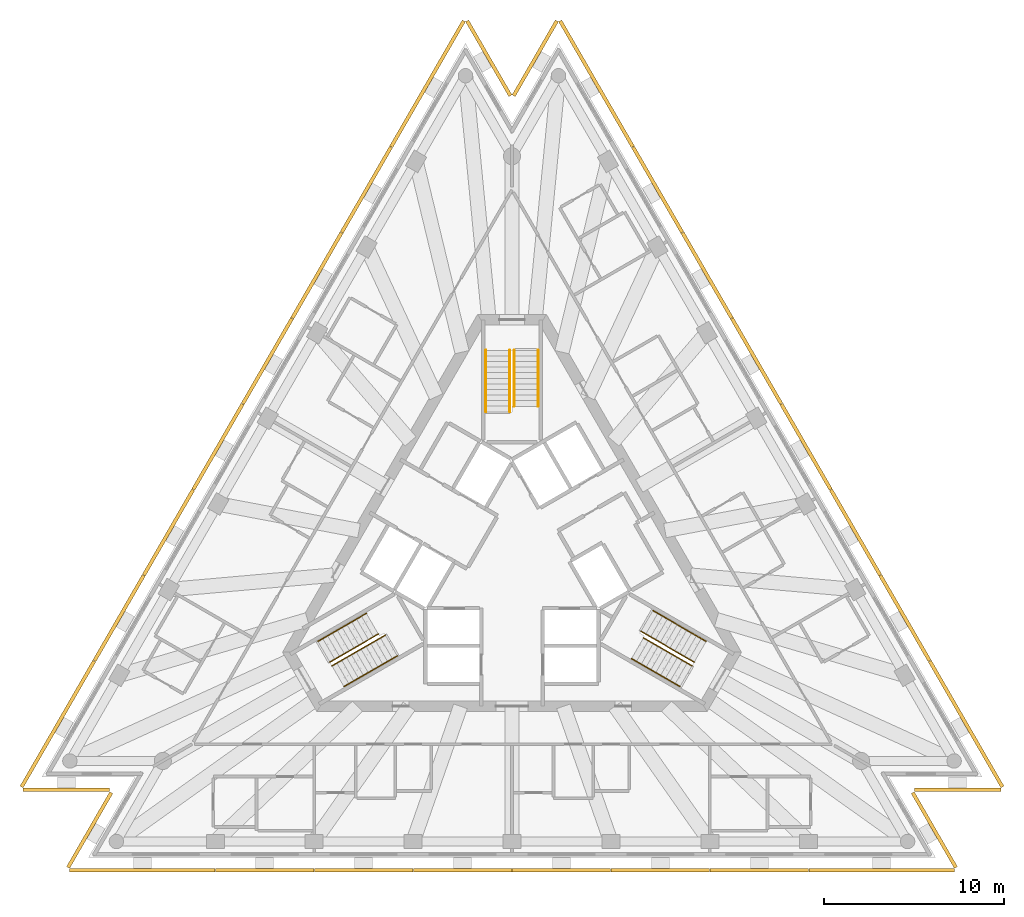
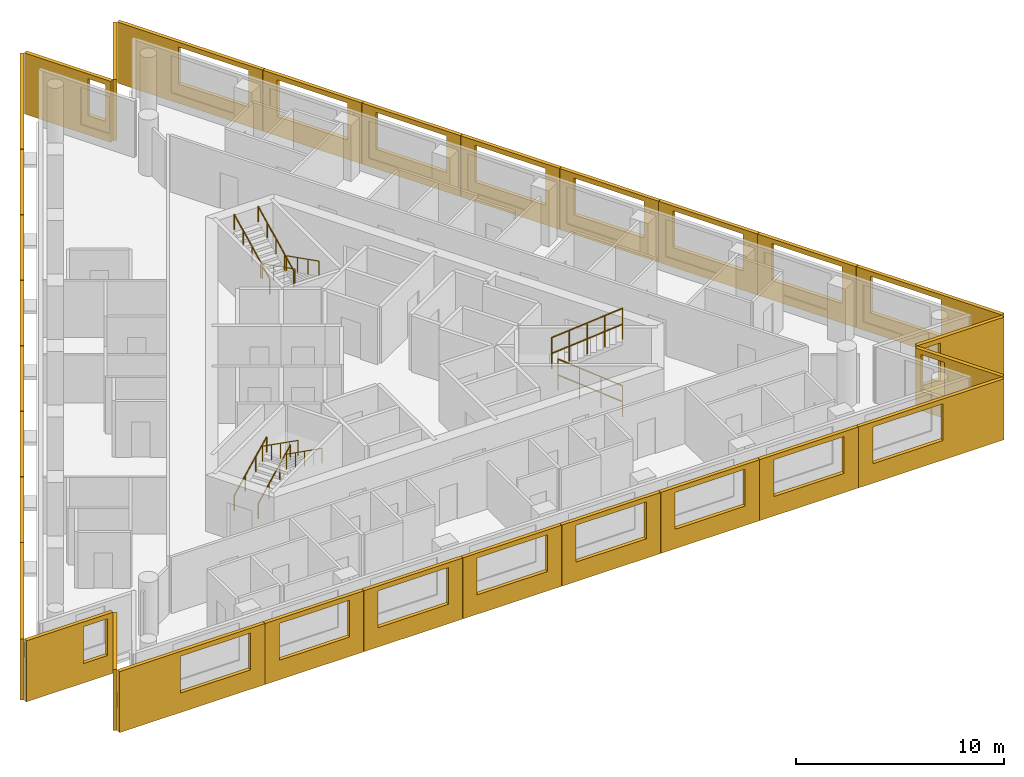
# One storey, part 9 of 9: 30 shading devices, 12 railings, 3 elements without a shape of their own.
"""IFC4 building model written with IfcOpenShell, lengths in metres."""

from ifc_helpers import new_model, si_unit, direction, frame, origin, origin_2d, place, context, subcontext, project, spatial, polyline, circle, outline, extrude, material, layer, layer_set, type_object, element, aggregate, save


model = new_model("IFC4")

# Units and contexts
model_context = context("Model", 3, precision=1e-05, world=origin(), true_north=direction((0.0, 1.0)))
body_context = subcontext(model_context, "Body", "Model", "MODEL_VIEW")
ifc_project = project(units=[si_unit("LENGTHUNIT", "METRE"), si_unit("AREAUNIT", "SQUARE_METRE"), si_unit("VOLUMEUNIT", "CUBIC_METRE"), si_unit("PLANEANGLEUNIT", "RADIAN"), si_unit("MASSUNIT", "GRAM", prefix="KILO")], contexts=[model_context])

# Site, building, storey
site_placement = place(None, origin())
site = spatial("IfcSite", under=ifc_project, at=site_placement, CompositionType="ELEMENT")
building_placement = place(site_placement, origin())
building = spatial("IfcBuilding", under=site, at=building_placement, Name="Triada Interchange Tower", CompositionType="ELEMENT")
storey_placement = place(building_placement, frame((0.0, 0.0, 282.699951171875)))
storey = spatial("IfcBuildingStorey", under=building, at=storey_placement, Name="L66", CompositionType="ELEMENT", Elevation=282.699951171875)

# Shading devices
ifc_material_1 = material(Name="Concrete C50/60 precast", Category="concrete")
ifc_layer_1 = layer(ifc_material_1, 0.02001953125, Name="Exposed aggregate face")
ifc_layer_2 = layer(ifc_material_1, 0.179931640625, Name="Precast concrete screen")
ifc_layer_set = layer_set([ifc_layer_1, ifc_layer_2], Name="Outer skin screen panel 3580")
shading_device_type = type_object("IfcShadingDeviceType", Name="Outer skin screen panel 3580", PredefinedType="SHUTTER", material=ifc_layer_set)
shading_device_1_placement = place(storey_placement, frame((-2.5859375, 29.8291015625, -0.2900390625), z_axis=(0.0, 0.0, 1.0), x_axis=(-0.500009794523, -0.86601974884, 0.0)))
element("IfcShadingDevice", 1, at=shading_device_1_placement, inside=storey, type_object=shading_device_type, Name="Outer skin screen panel L66 01", PredefinedType="SHUTTER", context=body_context, shape_type="SweptSolid", body=[
    extrude(outline(polyline([(0.0, 0.0), (8.065673828125, 0.0), (8.065673828125, 3.580078125), (0.0, 3.580078125), (0.0, 0.0)]), holes=[polyline([(3.381591796875, 1.139892578125), (3.381591796875, 3.300048828125), (7.281494140625, 3.300048828125), (7.281494140625, 1.139892578125), (3.381591796875, 1.139892578125)])]), frame((0.0, 0.0, 0.0), z_axis=(0.0, -1.0, 0.0), x_axis=(1.0, 0.0, 0.0)), (0.0, 0.0, 1.0), 0.199951171875),
])
for number, where, z_axis, x_axis, name in (
    (2, (-6.62890625, 22.826904296875, -0.2900390625), (0.0, 0.0, 1.0), (-0.499985249434, -0.86603391986, 0.0), "Outer skin screen panel L66 02"),
    (3, (-9.373046875, 18.073974609375, -0.2900390625), (0.0, 0.0, 1.0), (-0.499932432864, -0.866064410174, 0.0), "Outer skin screen panel L66 03"),
):
    element("IfcShadingDevice", number, at=place(storey_placement, frame(where, z_axis=z_axis, x_axis=x_axis)), inside=storey, type_object=shading_device_type, Name=name, PredefinedType="SHUTTER", context=body_context, shape_type="SweptSolid", body=[
        extrude(outline(polyline([(0.0, 0.0), (5.468505859375, 0.0), (5.468505859375, 3.580078125), (0.0, 3.580078125), (0.0, 0.0)]), holes=[polyline([(0.783447265625, 1.139892578125), (0.783447265625, 3.300048828125), (4.68359375, 3.300048828125), (4.68359375, 1.139892578125), (0.783447265625, 1.139892578125)])]), frame((0.0, 0.0, 0.0), z_axis=(0.0, -1.0, 0.0), x_axis=(1.0, 0.0, 0.0)), (0.0, 0.0, 1.0), 0.199951171875),
    ])
for number, where, z_axis, x_axis, name in (
    (4, (-12.116943359375, 13.321044921875, -0.2900390625), (0.0, 0.0, 1.0), (-0.500043250139, -0.866000431865, 0.0), "Outer skin screen panel L66 04"),
    (5, (-14.861083984375, 8.568115234375, -0.2900390625), (0.0, 0.0, 1.0), (-0.50000976292, -0.866019767087, 0.0), "Outer skin screen panel L66 05"),
):
    element("IfcShadingDevice", number, at=place(storey_placement, frame(where, z_axis=z_axis, x_axis=x_axis)), inside=storey, type_object=shading_device_type, Name=name, PredefinedType="SHUTTER", context=body_context, shape_type="SweptSolid", body=[
        extrude(outline(polyline([(0.0, 0.0), (5.4677734375, 0.0), (5.4677734375, 3.580078125), (0.0, 3.580078125), (0.0, 0.0)]), holes=[polyline([(0.783447265625, 1.139892578125), (0.783447265625, 3.300048828125), (4.68359375, 3.300048828125), (4.68359375, 1.139892578125), (0.783447265625, 1.139892578125)])]), frame((0.0, 0.0, 0.0), z_axis=(0.0, -1.0, 0.0), x_axis=(1.0, 0.0, 0.0)), (0.0, 0.0, 1.0), 0.199951171875),
    ])
for number, where, z_axis, x_axis, name in (
    (6, (-17.60498046875, 3.81591796875, -0.2900390625), (0.0, 0.0, 1.0), (-0.499985249434, -0.86603391986, 0.0), "Outer skin screen panel L66 06"),
    (7, (-20.34912109375, -0.93701171875, -0.2900390625), (0.0, 0.0, 1.0), (-0.499932432864, -0.866064410174, 0.0), "Outer skin screen panel L66 07"),
):
    element("IfcShadingDevice", number, at=place(storey_placement, frame(where, z_axis=z_axis, x_axis=x_axis)), inside=storey, type_object=shading_device_type, Name=name, PredefinedType="SHUTTER", context=body_context, shape_type="SweptSolid", body=[
        extrude(outline(polyline([(0.0, 0.0), (5.468505859375, 0.0), (5.468505859375, 3.580078125), (0.0, 3.580078125), (0.0, 0.0)]), holes=[polyline([(0.783447265625, 1.139892578125), (0.783447265625, 3.300048828125), (4.68359375, 3.300048828125), (4.68359375, 1.139892578125), (0.783447265625, 1.139892578125)])]), frame((0.0, 0.0, 0.0), z_axis=(0.0, -1.0, 0.0), x_axis=(1.0, 0.0, 0.0)), (0.0, 0.0, 1.0), 0.199951171875),
    ])
shading_device_2_placement = place(storey_placement, frame((-23.093017578125, -5.68994140625, -0.2900390625), z_axis=(0.0, 0.0, 1.0), x_axis=(-0.500009794523, -0.86601974884, 0.0)))
element("IfcShadingDevice", 8, at=shading_device_2_placement, inside=storey, type_object=shading_device_type, Name="Outer skin screen panel L66 08", PredefinedType="SHUTTER", context=body_context, shape_type="SweptSolid", body=[
    extrude(outline(polyline([(0.0, 0.0), (8.065673828125, 0.0), (8.065673828125, 3.580078125), (0.0, 3.580078125), (0.0, 0.0)]), holes=[polyline([(0.783447265625, 1.139892578125), (0.783447265625, 3.300048828125), (4.68359375, 3.300048828125), (4.68359375, 1.139892578125), (0.783447265625, 1.139892578125)])]), frame((0.0, 0.0, 0.0), z_axis=(0.0, -1.0, 0.0), x_axis=(1.0, 0.0, 0.0)), (0.0, 0.0, 1.0), 0.199951171875),
])
shading_device_3_placement = place(storey_placement, frame((-27.12109375, -12.68408203125, -0.2900390625), z_axis=(0.0, 0.0, 1.0), x_axis=(1.0, 0.0, 0.0)))
element("IfcShadingDevice", 9, at=shading_device_3_placement, inside=storey, type_object=shading_device_type, Name="Outer skin screen panel L66 09", PredefinedType="SHUTTER", context=body_context, shape_type="SweptSolid", body=[
    extrude(outline(polyline([(0.0, 0.0), (4.795166015625, 0.0), (4.795166015625, 3.580078125), (0.0, 3.580078125), (0.0, 0.0)]), holes=[polyline([(3.175048828125, 1.139892578125), (3.175048828125, 3.300048828125), (4.4951171875, 3.300048828125), (4.4951171875, 1.139892578125), (3.175048828125, 1.139892578125)])]), frame((0.0, 0.0, 0.0), z_axis=(0.0, -1.0, 0.0), x_axis=(1.0, 0.0, 0.0)), (0.0, 0.0, 1.0), 0.199951171875),
])
shading_device_4_placement = place(storey_placement, frame((-22.14794921875, -12.991943359375, -0.2900390625), z_axis=(0.0, 0.0, 1.0), x_axis=(-0.499873775192, -0.866098267447, 0.0)))
element("IfcShadingDevice", 10, at=shading_device_4_placement, inside=storey, type_object=shading_device_type, Name="Outer skin screen panel L66 10", PredefinedType="SHUTTER", context=body_context, shape_type="SweptSolid", body=[
    extrude(outline(polyline([(0.0, 0.0), (4.795166015625, 0.0), (4.795166015625, 3.580078125), (0.0, 3.580078125), (0.0, 0.0)]), holes=[polyline([(0.300048828125, 1.139892578125), (0.300048828125, 3.300048828125), (1.258544921875, 3.300048828125), (1.258544921875, 1.139892578125), (0.300048828125, 1.139892578125)])]), frame((0.0, 0.0, 0.0), z_axis=(0.0, -1.0, 0.0), x_axis=(1.0, 0.0, 0.0)), (0.0, 0.0, 1.0), 0.199951171875),
])
shading_device_5_placement = place(storey_placement, frame((-24.5400390625, -17.154052734375, -0.2900390625), z_axis=(0.0, 0.0, 1.0), x_axis=(1.0, 0.0, 0.0)))
element("IfcShadingDevice", 11, at=shading_device_5_placement, inside=storey, type_object=shading_device_type, Name="Outer skin screen panel L66 11", PredefinedType="SHUTTER", context=body_context, shape_type="SweptSolid", body=[
    extrude(outline(polyline([(0.0, 0.0), (8.06591796875, 0.0), (8.06591796875, 3.580078125), (0.0, 3.580078125), (0.0, 0.0)]), holes=[polyline([(3.382080078125, 1.139892578125), (3.382080078125, 3.300048828125), (7.281982421875, 3.300048828125), (7.281982421875, 1.139892578125), (3.382080078125, 1.139892578125)])]), frame((0.0, 0.0, 0.0), z_axis=(0.0, -1.0, 0.0), x_axis=(1.0, 0.0, 0.0)), (0.0, 0.0, 1.0), 0.199951171875),
])
for number, where, z_axis, x_axis, name in (
    (12, (-16.4541015625, -17.154052734375, -0.2900390625), (0.0, 0.0, 1.0), (1.0, 0.0, 0.0), "Outer skin screen panel L66 12"),
    (13, (-10.966064453125, -17.154052734375, -0.2900390625), (0.0, 0.0, 1.0), (1.0, 0.0, 0.0), "Outer skin screen panel L66 13"),
    (14, (-5.47802734375, -17.154052734375, -0.2900390625), (0.0, 0.0, 1.0), (1.0, 0.0, 0.0), "Outer skin screen panel L66 14"),
    (15, (0.010009765625, -17.154052734375, -0.2900390625), (0.0, 0.0, 1.0), (1.0, 0.0, 0.0), "Outer skin screen panel L66 15"),
    (16, (5.498046875, -17.154052734375, -0.2900390625), (0.0, 0.0, 1.0), (1.0, 0.0, 0.0), "Outer skin screen panel L66 16"),
    (17, (10.986083984375, -17.154052734375, -0.2900390625), (0.0, 0.0, 1.0), (1.0, 0.0, 0.0), "Outer skin screen panel L66 17"),
):
    element("IfcShadingDevice", number, at=place(storey_placement, frame(where, z_axis=z_axis, x_axis=x_axis)), inside=storey, type_object=shading_device_type, Name=name, PredefinedType="SHUTTER", context=body_context, shape_type="SweptSolid", body=[
        extrude(outline(polyline([(0.0, 0.0), (5.468017578125, 0.0), (5.468017578125, 3.580078125), (0.0, 3.580078125), (0.0, 0.0)]), holes=[polyline([(0.783935546875, 1.139892578125), (0.783935546875, 3.300048828125), (4.68408203125, 3.300048828125), (4.68408203125, 1.139892578125), (0.783935546875, 1.139892578125)])]), frame((0.0, 0.0, 0.0), z_axis=(0.0, -1.0, 0.0), x_axis=(1.0, 0.0, 0.0)), (0.0, 0.0, 1.0), 0.199951171875),
    ])
shading_device_6_placement = place(storey_placement, frame((16.47412109375, -17.154052734375, -0.2900390625), z_axis=(0.0, 0.0, 1.0), x_axis=(1.0, 0.0, 0.0)))
element("IfcShadingDevice", 18, at=shading_device_6_placement, inside=storey, type_object=shading_device_type, Name="Outer skin screen panel L66 18", PredefinedType="SHUTTER", context=body_context, shape_type="SweptSolid", body=[
    extrude(outline(polyline([(0.0, 0.0), (8.06591796875, 0.0), (8.06591796875, 3.580078125), (0.0, 3.580078125), (0.0, 0.0)]), holes=[polyline([(0.783935546875, 1.139892578125), (0.783935546875, 3.300048828125), (4.68408203125, 3.300048828125), (4.68408203125, 1.139892578125), (0.783935546875, 1.139892578125)])]), frame((0.0, 0.0, 0.0), z_axis=(0.0, -1.0, 0.0), x_axis=(1.0, 0.0, 0.0)), (0.0, 0.0, 1.0), 0.199951171875),
])
shading_device_7_placement = place(storey_placement, frame((24.544921875, -17.14501953125, -0.2900390625), z_axis=(0.0, 0.0, 1.0), x_axis=(-0.499873775192, 0.866098267447, 0.0)))
element("IfcShadingDevice", 19, at=shading_device_7_placement, inside=storey, type_object=shading_device_type, Name="Outer skin screen panel L66 19", PredefinedType="SHUTTER", context=body_context, shape_type="SweptSolid", body=[
    extrude(outline(polyline([(0.0, 0.0), (4.795166015625, 0.0), (4.795166015625, 3.580078125), (0.0, 3.580078125), (0.0, 0.0)]), holes=[polyline([(3.17529296875, 1.139892578125), (3.17529296875, 3.300048828125), (4.4951171875, 3.300048828125), (4.4951171875, 1.139892578125), (3.17529296875, 1.139892578125)])]), frame((0.0, 0.0, 0.0), z_axis=(0.0, -1.0, 0.0), x_axis=(1.0, 0.0, 0.0)), (0.0, 0.0, 1.0), 0.199951171875),
])
shading_device_8_placement = place(storey_placement, frame((22.325927734375, -12.68408203125, -0.2900390625), z_axis=(0.0, 0.0, 1.0), x_axis=(1.0, 0.0, 0.0)))
element("IfcShadingDevice", 20, at=shading_device_8_placement, inside=storey, type_object=shading_device_type, Name="Outer skin screen panel L66 20", PredefinedType="SHUTTER", context=body_context, shape_type="SweptSolid", body=[
    extrude(outline(polyline([(0.0, 0.0), (4.795166015625, 0.0), (4.795166015625, 3.580078125), (0.0, 3.580078125), (0.0, 0.0)]), holes=[polyline([(0.300048828125, 1.139892578125), (0.300048828125, 3.300048828125), (1.259033203125, 3.300048828125), (1.259033203125, 1.139892578125), (0.300048828125, 1.139892578125)])]), frame((0.0, 0.0, 0.0), z_axis=(0.0, -1.0, 0.0), x_axis=(1.0, 0.0, 0.0)), (0.0, 0.0, 1.0), 0.199951171875),
])
shading_device_9_placement = place(storey_placement, frame((27.1259765625, -12.675048828125, -0.2900390625), z_axis=(0.0, 0.0, 1.0), x_axis=(-0.500009794523, 0.86601974884, 0.0)))
element("IfcShadingDevice", 21, at=shading_device_9_placement, inside=storey, type_object=shading_device_type, Name="Outer skin screen panel L66 21", PredefinedType="SHUTTER", context=body_context, shape_type="SweptSolid", body=[
    extrude(outline(polyline([(0.0, 0.0), (8.065673828125, 0.0), (8.065673828125, 3.580078125), (0.0, 3.580078125), (0.0, 0.0)]), holes=[polyline([(3.38232421875, 1.139892578125), (3.38232421875, 3.300048828125), (7.2822265625, 3.300048828125), (7.2822265625, 1.139892578125), (3.38232421875, 1.139892578125)])]), frame((0.0, 0.0, 0.0), z_axis=(0.0, -1.0, 0.0), x_axis=(1.0, 0.0, 0.0)), (0.0, 0.0, 1.0), 0.199951171875),
])
for number, where, z_axis, x_axis, name in (
    (22, (23.0830078125, -5.673095703125, -0.2900390625), (0.0, 0.0, 1.0), (-0.499932432864, 0.866064410174, 0.0), "Outer skin screen panel L66 22"),
    (23, (20.339111328125, -0.919921875, -0.2900390625), (0.0, 0.0, 1.0), (-0.499985249434, 0.86603391986, 0.0), "Outer skin screen panel L66 23"),
):
    element("IfcShadingDevice", number, at=place(storey_placement, frame(where, z_axis=z_axis, x_axis=x_axis)), inside=storey, type_object=shading_device_type, Name=name, PredefinedType="SHUTTER", context=body_context, shape_type="SweptSolid", body=[
        extrude(outline(polyline([(0.0, 0.0), (5.468505859375, 0.0), (5.468505859375, 3.580078125), (0.0, 3.580078125), (0.0, 0.0)]), holes=[polyline([(0.7841796875, 1.139892578125), (0.7841796875, 3.300048828125), (4.68408203125, 3.300048828125), (4.68408203125, 1.139892578125), (0.7841796875, 1.139892578125)])]), frame((0.0, 0.0, 0.0), z_axis=(0.0, -1.0, 0.0), x_axis=(1.0, 0.0, 0.0)), (0.0, 0.0, 1.0), 0.199951171875),
    ])
for number, where, z_axis, x_axis, name in (
    (24, (17.594970703125, 3.8330078125, -0.2900390625), (0.0, 0.0, 1.0), (-0.50000976292, 0.866019767087, 0.0), "Outer skin screen panel L66 24"),
    (25, (14.85107421875, 8.5859375, -0.2900390625), (0.0, 0.0, 1.0), (-0.500043250139, 0.866000431865, 0.0), "Outer skin screen panel L66 25"),
):
    element("IfcShadingDevice", number, at=place(storey_placement, frame(where, z_axis=z_axis, x_axis=x_axis)), inside=storey, type_object=shading_device_type, Name=name, PredefinedType="SHUTTER", context=body_context, shape_type="SweptSolid", body=[
        extrude(outline(polyline([(0.0, 0.0), (5.4677734375, 0.0), (5.4677734375, 3.580078125), (0.0, 3.580078125), (0.0, 0.0)]), holes=[polyline([(0.7841796875, 1.139892578125), (0.7841796875, 3.300048828125), (4.68408203125, 3.300048828125), (4.68408203125, 1.139892578125), (0.7841796875, 1.139892578125)])]), frame((0.0, 0.0, 0.0), z_axis=(0.0, -1.0, 0.0), x_axis=(1.0, 0.0, 0.0)), (0.0, 0.0, 1.0), 0.199951171875),
    ])
for number, where, z_axis, x_axis, name in (
    (26, (12.10693359375, 13.337890625, -0.2900390625), (0.0, 0.0, 1.0), (-0.499932432864, 0.866064410174, 0.0), "Outer skin screen panel L66 26"),
    (27, (9.363037109375, 18.091064453125, -0.2900390625), (0.0, 0.0, 1.0), (-0.499985249434, 0.86603391986, 0.0), "Outer skin screen panel L66 27"),
):
    element("IfcShadingDevice", number, at=place(storey_placement, frame(where, z_axis=z_axis, x_axis=x_axis)), inside=storey, type_object=shading_device_type, Name=name, PredefinedType="SHUTTER", context=body_context, shape_type="SweptSolid", body=[
        extrude(outline(polyline([(0.0, 0.0), (5.468505859375, 0.0), (5.468505859375, 3.580078125), (0.0, 3.580078125), (0.0, 0.0)]), holes=[polyline([(0.7841796875, 1.139892578125), (0.7841796875, 3.300048828125), (4.68408203125, 3.300048828125), (4.68408203125, 1.139892578125), (0.7841796875, 1.139892578125)])]), frame((0.0, 0.0, 0.0), z_axis=(0.0, -1.0, 0.0), x_axis=(1.0, 0.0, 0.0)), (0.0, 0.0, 1.0), 0.199951171875),
    ])
shading_device_10_placement = place(storey_placement, frame((6.618896484375, 22.843994140625, -0.2900390625), z_axis=(0.0, 0.0, 1.0), x_axis=(-0.500009794523, 0.86601974884, 0.0)))
element("IfcShadingDevice", 28, at=shading_device_10_placement, inside=storey, type_object=shading_device_type, Name="Outer skin screen panel L66 28", PredefinedType="SHUTTER", context=body_context, shape_type="SweptSolid", body=[
    extrude(outline(polyline([(0.0, 0.0), (8.065673828125, 0.0), (8.065673828125, 3.580078125), (0.0, 3.580078125), (0.0, 0.0)]), holes=[polyline([(0.7841796875, 1.139892578125), (0.7841796875, 3.300048828125), (4.68408203125, 3.300048828125), (4.68408203125, 1.139892578125), (0.7841796875, 1.139892578125)])]), frame((0.0, 0.0, 0.0), z_axis=(0.0, -1.0, 0.0), x_axis=(1.0, 0.0, 0.0)), (0.0, 0.0, 1.0), 0.199951171875),
])
shading_device_11_placement = place(storey_placement, frame((2.575927734375, 29.8291015625, -0.2900390625), z_axis=(0.0, 0.0, 1.0), x_axis=(-0.500202931043, -0.865908209787, 0.0)))
element("IfcShadingDevice", 29, at=shading_device_11_placement, inside=storey, type_object=shading_device_type, Name="Outer skin screen panel L66 29", PredefinedType="SHUTTER", context=body_context, shape_type="SweptSolid", body=[
    extrude(outline(polyline([(0.0, 0.0), (4.7939453125, 0.0), (4.7939453125, 3.580078125), (0.0, 3.580078125), (0.0, 0.0)]), holes=[polyline([(3.175537109375, 1.139892578125), (3.175537109375, 3.300048828125), (4.494384765625, 3.300048828125), (4.494384765625, 1.139892578125), (3.175537109375, 1.139892578125)])]), frame((0.0, 0.0, 0.0), z_axis=(0.0, -1.0, 0.0), x_axis=(1.0, 0.0, 0.0)), (0.0, 0.0, 1.0), 0.199951171875),
])
shading_device_12_placement = place(storey_placement, frame((-0.177978515625, 25.677978515625, -0.2900390625), z_axis=(0.0, 0.0, 1.0), x_axis=(-0.500202931043, 0.865908209787, 0.0)))
element("IfcShadingDevice", 30, at=shading_device_12_placement, inside=storey, type_object=shading_device_type, Name="Outer skin screen panel L66 30", PredefinedType="SHUTTER", context=body_context, shape_type="SweptSolid", body=[
    extrude(outline(polyline([(0.0, 0.0), (4.7939453125, 0.0), (4.7939453125, 3.580078125), (0.0, 3.580078125), (0.0, 0.0)]), holes=[polyline([(0.300048828125, 1.139892578125), (0.300048828125, 3.300048828125), (1.258056640625, 3.300048828125), (1.258056640625, 1.139892578125), (0.300048828125, 1.139892578125)])]), frame((0.0, 0.0, 0.0), z_axis=(0.0, -1.0, 0.0), x_axis=(1.0, 0.0, 0.0)), (0.0, 0.0, 1.0), 0.199951171875),
])

# Stair, railings
ifc_material_2 = material(Name="Concrete C35/45", Category="concrete")
stair_type = type_object("IfcStairType", Name="HALF TURN STAIR 1400", PredefinedType="HALF_TURN_STAIR", material=ifc_material_2)
stair_1_placement = place(storey_placement, origin())
stair_1 = element("IfcStair", 31, at=stair_1_placement, inside=storey, type_object=stair_type, Name="Exit stair S65-1", PredefinedType="HALF_TURN_STAIR")
ifc_material_3 = material(Name="Stainless steel 1.4301", Category="steel")
railing_type = type_object("IfcRailingType", Name="STAIR HANDRAIL 900", PredefinedType="HANDRAIL", material=ifc_material_3)
railing_1_placement = place(storey_placement, frame((1.449951171875, 11.60009765625, 0.156494140625)))
railing_1 = element("IfcRailing", 32, at=railing_1_placement, type_object=railing_type, Name="Handrail S65-1 1W", PredefinedType="HANDRAIL", context=body_context, shape_type="SweptSolid", body=[
    extrude(circle(Radius=0.02392578125, at=origin_2d()), frame((0.0, 0.0, 0.8759765625), z_axis=(0.0, -0.89267693942, 0.450697106522), x_axis=(1.0, 0.0, 0.0)), (0.0, 0.0, 1.0), 3.472900390625),
    extrude(circle(Radius=0.02099609375, at=origin_2d()), origin(), (0.0, 0.0, 1.0), 0.851806640625),
    extrude(circle(Radius=0.02099609375, at=origin_2d()), frame((0.0, -1.033447265625, 0.521728515625)), (0.0, 0.0, 1.0), 0.851806640625),
    extrude(circle(Radius=0.02099609375, at=origin_2d()), frame((0.0, -2.066650390625, 1.04345703125)), (0.0, 0.0, 1.0), 0.851806640625),
    extrude(circle(Radius=0.02099609375, at=origin_2d()), frame((0.0, -3.10009765625, 1.565185546875)), (0.0, 0.0, 1.0), 0.851806640625),
])
railing_2_placement = place(storey_placement, frame((0.1201171875, 11.60009765625, 0.156494140625)))
railing_2 = element("IfcRailing", 33, at=railing_2_placement, type_object=railing_type, Name="Handrail S65-1 1C", PredefinedType="HANDRAIL", context=body_context, shape_type="SweptSolid", body=[
    extrude(circle(Radius=0.02392578125, at=origin_2d()), frame((0.0, 0.0, 0.8759765625), z_axis=(0.0, -0.89267693942, 0.450697106522), x_axis=(1.0, 0.0, 0.0)), (0.0, 0.0, 1.0), 3.472900390625),
    extrude(circle(Radius=0.02099609375, at=origin_2d()), origin(), (0.0, 0.0, 1.0), 0.851806640625),
    extrude(circle(Radius=0.02099609375, at=origin_2d()), frame((0.0, -1.033447265625, 0.521728515625)), (0.0, 0.0, 1.0), 0.851806640625),
    extrude(circle(Radius=0.02099609375, at=origin_2d()), frame((0.0, -2.066650390625, 1.04345703125)), (0.0, 0.0, 1.0), 0.851806640625),
    extrude(circle(Radius=0.02099609375, at=origin_2d()), frame((0.0, -3.10009765625, 1.565185546875)), (0.0, 0.0, 1.0), 0.851806640625),
])
railing_3_placement = place(storey_placement, frame((-1.449951171875, 8.18994140625, 1.878173828125)))
railing_3 = element("IfcRailing", 34, at=railing_3_placement, type_object=railing_type, Name="Handrail S65-1 2W", PredefinedType="HANDRAIL", context=body_context, shape_type="SweptSolid", body=[
    extrude(circle(Radius=0.02392578125, at=origin_2d()), frame((0.0, 0.0, 0.8759765625), z_axis=(0.0, 0.892682106939, 0.450686871287), x_axis=(-1.0, 0.0, 0.0)), (0.0, 0.0, 1.0), 3.820068359375),
    extrude(circle(Radius=0.02099609375, at=origin_2d()), origin(), (0.0, 0.0, 1.0), 0.851806640625),
    extrude(circle(Radius=0.02099609375, at=origin_2d()), frame((0.0, 0.8525390625, 0.430419921875)), (0.0, 0.0, 1.0), 0.851806640625),
    extrude(circle(Radius=0.02099609375, at=origin_2d()), frame((0.0, 1.705078125, 0.86083984375)), (0.0, 0.0, 1.0), 0.851806640625),
    extrude(circle(Radius=0.02099609375, at=origin_2d()), frame((0.0, 2.5576171875, 1.291259765625)), (0.0, 0.0, 1.0), 0.851806640625),
    extrude(circle(Radius=0.02099609375, at=origin_2d()), frame((0.0, 3.41015625, 1.7216796875)), (0.0, 0.0, 1.0), 0.851806640625),
])
railing_4_placement = place(storey_placement, frame((-0.1201171875, 8.18994140625, 1.878173828125)))
railing_4 = element("IfcRailing", 35, at=railing_4_placement, type_object=railing_type, Name="Handrail S65-1 2C", PredefinedType="HANDRAIL", context=body_context, shape_type="SweptSolid", body=[
    extrude(circle(Radius=0.02392578125, at=origin_2d()), frame((0.0, 0.0, 0.8759765625), z_axis=(0.0, 0.892682106939, 0.450686871287), x_axis=(-1.0, 0.0, 0.0)), (0.0, 0.0, 1.0), 3.820068359375),
    extrude(circle(Radius=0.02099609375, at=origin_2d()), origin(), (0.0, 0.0, 1.0), 0.851806640625),
    extrude(circle(Radius=0.02099609375, at=origin_2d()), frame((0.0, 0.8525390625, 0.430419921875)), (0.0, 0.0, 1.0), 0.851806640625),
    extrude(circle(Radius=0.02099609375, at=origin_2d()), frame((0.0, 1.705078125, 0.86083984375)), (0.0, 0.0, 1.0), 0.851806640625),
    extrude(circle(Radius=0.02099609375, at=origin_2d()), frame((0.0, 2.5576171875, 1.291259765625)), (0.0, 0.0, 1.0), 0.851806640625),
    extrude(circle(Radius=0.02099609375, at=origin_2d()), frame((0.0, 3.41015625, 1.7216796875)), (0.0, 0.0, 1.0), 0.851806640625),
])
aggregate(stair_1, [railing_1, railing_2, railing_3, railing_4])

stair_2_placement = place(storey_placement, origin())
stair_2 = element("IfcStair", 36, at=stair_2_placement, inside=storey, type_object=stair_type, Name="Exit stair S65-2", PredefinedType="HALF_TURN_STAIR")
railing_5_placement = place(storey_placement, frame((-10.77099609375, -4.5439453125, 0.156494140625)))
railing_5 = element("IfcRailing", 37, at=railing_5_placement, type_object=railing_type, Name="Handrail S65-2 1W", PredefinedType="HANDRAIL", context=body_context, shape_type="SweptSolid", body=[
    extrude(circle(Radius=0.02392578125, at=origin_2d()), frame((0.0, 0.0, 0.8759765625), z_axis=(0.773115112249, 0.446309133267, 0.4506674836), x_axis=(-0.499958760481, 0.866049212123, 0.0)), (0.0, 0.0, 1.0), 3.47314453125),
    extrude(circle(Radius=0.02099609375, at=origin_2d()), origin(), (0.0, 0.0, 1.0), 0.851806640625),
    extrude(circle(Radius=0.02099609375, at=origin_2d()), frame((0.89501953125, 0.5166015625, 0.521728515625)), (0.0, 0.0, 1.0), 0.851806640625),
    extrude(circle(Radius=0.02099609375, at=origin_2d()), frame((1.7900390625, 1.033447265625, 1.04345703125)), (0.0, 0.0, 1.0), 0.851806640625),
    extrude(circle(Radius=0.02099609375, at=origin_2d()), frame((2.68505859375, 1.550048828125, 1.565185546875)), (0.0, 0.0, 1.0), 0.851806640625),
])
railing_6_placement = place(storey_placement, frame((-10.10595703125, -5.696044921875, 0.156494140625)))
railing_6 = element("IfcRailing", 38, at=railing_6_placement, type_object=railing_type, Name="Handrail S65-2 1C", PredefinedType="HANDRAIL", context=body_context, shape_type="SweptSolid", body=[
    extrude(circle(Radius=0.02392578125, at=origin_2d()), frame((0.0, 0.0, 0.8759765625), z_axis=(0.773115112249, 0.446309133267, 0.4506674836), x_axis=(-0.499958760481, 0.866049212123, 0.0)), (0.0, 0.0, 1.0), 3.47314453125),
    extrude(circle(Radius=0.02099609375, at=origin_2d()), origin(), (0.0, 0.0, 1.0), 0.851806640625),
    extrude(circle(Radius=0.02099609375, at=origin_2d()), frame((0.89501953125, 0.5166015625, 0.521728515625)), (0.0, 0.0, 1.0), 0.851806640625),
    extrude(circle(Radius=0.02099609375, at=origin_2d()), frame((1.7900390625, 1.033447265625, 1.04345703125)), (0.0, 0.0, 1.0), 0.851806640625),
    extrude(circle(Radius=0.02099609375, at=origin_2d()), frame((2.68505859375, 1.550048828125, 1.565185546875)), (0.0, 0.0, 1.0), 0.851806640625),
])
railing_7_placement = place(storey_placement, frame((-6.367919921875, -5.35107421875, 1.878173828125)))
railing_7 = element("IfcRailing", 39, at=railing_7_placement, type_object=railing_type, Name="Handrail S65-2 2W", PredefinedType="HANDRAIL", context=body_context, shape_type="SweptSolid", body=[
    extrude(circle(Radius=0.02392578125, at=origin_2d()), frame((0.0, 0.0, 0.8759765625), z_axis=(-0.773090904651, -0.446304049866, 0.450714042625), x_axis=(0.499966231165, -0.866044899352, 0.0)), (0.0, 0.0, 1.0), 3.81982421875),
    extrude(circle(Radius=0.02099609375, at=origin_2d()), origin(), (0.0, 0.0, 1.0), 0.851806640625),
    extrude(circle(Radius=0.02099609375, at=origin_2d()), frame((-0.73828125, -0.42626953125, 0.430419921875)), (0.0, 0.0, 1.0), 0.851806640625),
    extrude(circle(Radius=0.02099609375, at=origin_2d()), frame((-1.4765625, -0.8525390625, 0.86083984375)), (0.0, 0.0, 1.0), 0.851806640625),
    extrude(circle(Radius=0.02099609375, at=origin_2d()), frame((-2.21484375, -1.278564453125, 1.291259765625)), (0.0, 0.0, 1.0), 0.851806640625),
    extrude(circle(Radius=0.02099609375, at=origin_2d()), frame((-2.953125, -1.704833984375, 1.7216796875)), (0.0, 0.0, 1.0), 0.851806640625),
])
railing_8_placement = place(storey_placement, frame((-7.032958984375, -4.198974609375, 1.878173828125)))
railing_8 = element("IfcRailing", 40, at=railing_8_placement, type_object=railing_type, Name="Handrail S65-2 2C", PredefinedType="HANDRAIL", context=body_context, shape_type="SweptSolid", body=[
    extrude(circle(Radius=0.02392578125, at=origin_2d()), frame((0.0, 0.0, 0.8759765625), z_axis=(-0.773068851904, -0.446355229968, 0.450701185816), x_axis=(0.50001992892, -0.866013897511, 0.0)), (0.0, 0.0, 1.0), 3.820068359375),
    extrude(circle(Radius=0.02099609375, at=origin_2d()), origin(), (0.0, 0.0, 1.0), 0.851806640625),
    extrude(circle(Radius=0.02099609375, at=origin_2d()), frame((-0.73828125, -0.42626953125, 0.430419921875)), (0.0, 0.0, 1.0), 0.851806640625),
    extrude(circle(Radius=0.02099609375, at=origin_2d()), frame((-1.4765625, -0.8525390625, 0.86083984375)), (0.0, 0.0, 1.0), 0.851806640625),
    extrude(circle(Radius=0.02099609375, at=origin_2d()), frame((-2.21484375, -1.27880859375, 1.291259765625)), (0.0, 0.0, 1.0), 0.851806640625),
    extrude(circle(Radius=0.02099609375, at=origin_2d()), frame((-2.953125, -1.705078125, 1.7216796875)), (0.0, 0.0, 1.0), 0.851806640625),
])
aggregate(stair_2, [railing_5, railing_6, railing_7, railing_8])

stair_3_placement = place(storey_placement, origin())
stair_3 = element("IfcStair", 41, at=stair_3_placement, inside=storey, type_object=stair_type, Name="Exit stair S65-3", PredefinedType="HALF_TURN_STAIR")
railing_9_placement = place(storey_placement, frame((9.321044921875, -7.055908203125, 0.156494140625)))
railing_9 = element("IfcRailing", 42, at=railing_9_placement, type_object=railing_type, Name="Handrail S65-3 1W", PredefinedType="HANDRAIL", context=body_context, shape_type="SweptSolid", body=[
    extrude(circle(Radius=0.02392578125, at=origin_2d()), frame((0.0, 0.0, 0.8759765625), z_axis=(-0.773139366989, 0.446252837029, 0.450681622274), x_axis=(-0.499899694197, -0.866083307622, 0.0)), (0.0, 0.0, 1.0), 3.472900390625),
    extrude(circle(Radius=0.02099609375, at=origin_2d()), origin(), (0.0, 0.0, 1.0), 0.851806640625),
    extrude(circle(Radius=0.02099609375, at=origin_2d()), frame((-0.89501953125, 0.5166015625, 0.521728515625)), (0.0, 0.0, 1.0), 0.851806640625),
    extrude(circle(Radius=0.02099609375, at=origin_2d()), frame((-1.7900390625, 1.033203125, 1.04345703125)), (0.0, 0.0, 1.0), 0.851806640625),
    extrude(circle(Radius=0.02099609375, at=origin_2d()), frame((-2.68505859375, 1.5498046875, 1.565185546875)), (0.0, 0.0, 1.0), 0.851806640625),
])
railing_10_placement = place(storey_placement, frame((9.986083984375, -5.904052734375, 0.156494140625)))
railing_10 = element("IfcRailing", 43, at=railing_10_placement, type_object=railing_type, Name="Handrail S65-3 1C", PredefinedType="HANDRAIL", context=body_context, shape_type="SweptSolid", body=[
    extrude(circle(Radius=0.02392578125, at=origin_2d()), frame((0.0, 0.0, 0.8759765625), z_axis=(-0.773115112249, 0.446309133267, 0.4506674836), x_axis=(-0.499958760481, -0.866049212123, 0.0)), (0.0, 0.0, 1.0), 3.47314453125),
    extrude(circle(Radius=0.02099609375, at=origin_2d()), origin(), (0.0, 0.0, 1.0), 0.851806640625),
    extrude(circle(Radius=0.02099609375, at=origin_2d()), frame((-0.89501953125, 0.5166015625, 0.521728515625)), (0.0, 0.0, 1.0), 0.851806640625),
    extrude(circle(Radius=0.02099609375, at=origin_2d()), frame((-1.7900390625, 1.033447265625, 1.04345703125)), (0.0, 0.0, 1.0), 0.851806640625),
    extrude(circle(Radius=0.02099609375, at=origin_2d()), frame((-2.68505859375, 1.550048828125, 1.565185546875)), (0.0, 0.0, 1.0), 0.851806640625),
])
railing_11_placement = place(storey_placement, frame((7.818115234375, -2.839111328125, 1.878173828125)))
railing_11 = element("IfcRailing", 44, at=railing_11_placement, type_object=railing_type, Name="Handrail S65-3 2W", PredefinedType="HANDRAIL", context=body_context, shape_type="SweptSolid", body=[
    extrude(circle(Radius=0.02392578125, at=origin_2d()), frame((0.0, 0.0, 0.8759765625), z_axis=(0.773065188623, -0.4463261027, 0.450736313367), x_axis=(0.499997234054, 0.866027000698, 0.0)), (0.0, 0.0, 1.0), 3.81982421875),
    extrude(circle(Radius=0.02099609375, at=origin_2d()), origin(), (0.0, 0.0, 1.0), 0.851806640625),
    extrude(circle(Radius=0.02099609375, at=origin_2d()), frame((0.73828125, -0.42626953125, 0.430419921875)), (0.0, 0.0, 1.0), 0.851806640625),
    extrude(circle(Radius=0.02099609375, at=origin_2d()), frame((1.4765625, -0.8525390625, 0.86083984375)), (0.0, 0.0, 1.0), 0.851806640625),
    extrude(circle(Radius=0.02099609375, at=origin_2d()), frame((2.214599609375, -1.278564453125, 1.291259765625)), (0.0, 0.0, 1.0), 0.851806640625),
    extrude(circle(Radius=0.02099609375, at=origin_2d()), frame((2.952880859375, -1.704833984375, 1.7216796875)), (0.0, 0.0, 1.0), 0.851806640625),
])
railing_12_placement = place(storey_placement, frame((7.153076171875, -3.990966796875, 1.878173828125)))
railing_12 = element("IfcRailing", 45, at=railing_12_placement, type_object=railing_type, Name="Handrail S65-3 2C", PredefinedType="HANDRAIL", context=body_context, shape_type="SweptSolid", body=[
    extrude(circle(Radius=0.02392578125, at=origin_2d()), frame((0.0, 0.0, 0.8759765625), z_axis=(0.773043134431, -0.446377284073, 0.450723454651), x_axis=(0.500050932918, 0.865995995653, 0.0)), (0.0, 0.0, 1.0), 3.81982421875),
    extrude(circle(Radius=0.02099609375, at=origin_2d()), origin(), (0.0, 0.0, 1.0), 0.851806640625),
    extrude(circle(Radius=0.02099609375, at=origin_2d()), frame((0.73828125, -0.42626953125, 0.430419921875)), (0.0, 0.0, 1.0), 0.851806640625),
    extrude(circle(Radius=0.02099609375, at=origin_2d()), frame((1.4765625, -0.8525390625, 0.86083984375)), (0.0, 0.0, 1.0), 0.851806640625),
    extrude(circle(Radius=0.02099609375, at=origin_2d()), frame((2.214599609375, -1.27880859375, 1.291259765625)), (0.0, 0.0, 1.0), 0.851806640625),
    extrude(circle(Radius=0.02099609375, at=origin_2d()), frame((2.952880859375, -1.705078125, 1.7216796875)), (0.0, 0.0, 1.0), 0.851806640625),
])
aggregate(stair_3, [railing_9, railing_10, railing_11, railing_12])

save(model, "model.ifc")
